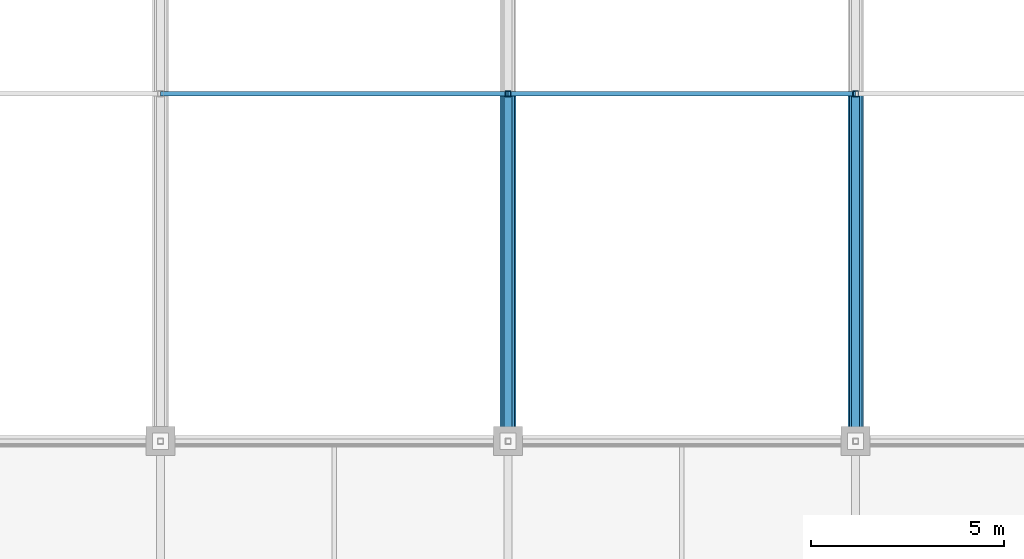
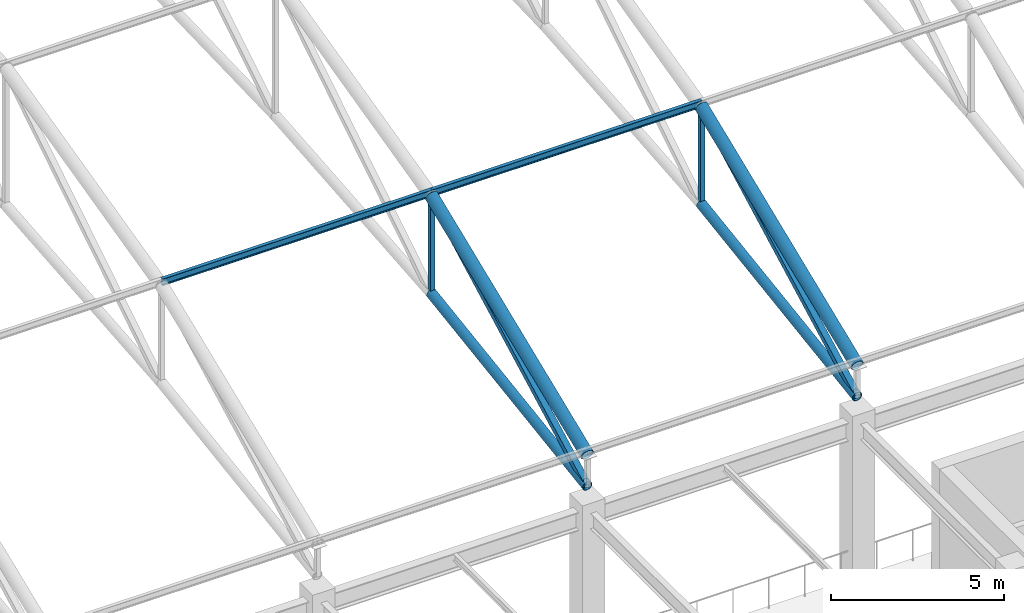
# One storey, part 40 of 223: 10 members.
"""IFC4 building model written with IfcOpenShell, lengths in metres."""

from ifc_helpers import new_model, si_unit, direction, frame, origin, origin_2d, place, context, subcontext, project, spatial, hollow_rectangle, hollow_circle, i_section, extrude, material, material_profile, profile_set, type_object, element, save


model = new_model("IFC4")

# Units and contexts
model_context = context("Model", 3, precision=1e-05, world=origin(), true_north=direction((0.0, 1.0)))
body_context = subcontext(model_context, "Body", "Model", "MODEL_VIEW")
ifc_project = project(units=[si_unit("LENGTHUNIT", "METRE"), si_unit("AREAUNIT", "SQUARE_METRE"), si_unit("VOLUMEUNIT", "CUBIC_METRE"), si_unit("PLANEANGLEUNIT", "RADIAN"), si_unit("MASSUNIT", "GRAM", prefix="KILO")], contexts=[model_context])

# Site, building, storey
site_placement = place(None, origin())
site = spatial("IfcSite", under=ifc_project, at=site_placement, CompositionType="ELEMENT")
building_placement = place(site_placement, origin())
building = spatial("IfcBuilding", under=site, at=building_placement, Name="Dornveld Trade and Exhibition Forum", CompositionType="ELEMENT")
storey_placement = place(building_placement, frame((0.0, 0.0, 6.0)))
storey = spatial("IfcBuildingStorey", under=building, at=storey_placement, Name="L01", CompositionType="ELEMENT", Elevation=6.0)

# Members
ifc_material_1 = material(Name="Steel S355J2", Category="steel")
ifc_material_profile_1 = material_profile(ifc_material_1, hollow_circle(Radius=0.161865234375, WallThickness=0.01611328125, at=origin_2d()), Name="CHS 323.9x16")
ifc_profile_set_1 = profile_set([ifc_material_profile_1], Name="Steel S355J2")
member_type_1 = type_object("IfcMemberType", Name="MEM-ARCH-BC", PredefinedType="CHORD", material=ifc_profile_set_1)
for number, where, z_axis, x_axis, name in (
    (1, (117.0, 108.0, 6.35009765625), (0.0, 0.989204758987, 0.146539908551), (-1.0, 0.0, 0.0), "H1 truss 3 tie chord 1"),
    (2, (126.0, 108.0, 6.35009765625), (0.0, 0.989204758987, 0.146539908551), (-1.0, 0.0, 0.0), "H1 truss 4 tie chord 1"),
):
    element("IfcMember", number, at=place(storey_placement, frame(where, z_axis=z_axis, x_axis=x_axis)), inside=storey, type_object=member_type_1, Name=name, PredefinedType="CHORD", context=body_context, shape_type="SweptSolid", body=[
        extrude(hollow_circle(Radius=0.161865234375, WallThickness=0.01611328125, at=origin_2d()), origin(), (0.0, 0.0, 1.0), 9.09814453125),
    ])
ifc_material_2 = material(Name="Steel S355J2", Category="steel")
ifc_material_profile_2 = material_profile(ifc_material_2, hollow_rectangle(XDim=0.14990234375, YDim=0.14990234375, WallThickness=0.008056640625, at=origin_2d()), Name="SHS 150x150x8")
ifc_profile_set_2 = profile_set([ifc_material_profile_2], Name="Steel S355J2")
member_type_2 = type_object("IfcMemberType", Name="MEM-ARCH-STR", PredefinedType="STRUT", material=ifc_profile_set_2)
for number, where, z_axis, x_axis, name in (
    (3, (117.0, 117.0, 7.683349609375), (0.0, 0.0, 1.0), (1.0, 0.0, 0.0), "H1 truss 3 strut 2"),
    (4, (126.0, 117.0, 7.683349609375), (0.0, 0.0, 1.0), (1.0, 0.0, 0.0), "H1 truss 4 strut 2"),
):
    element("IfcMember", number, at=place(storey_placement, frame(where, z_axis=z_axis, x_axis=x_axis)), inside=storey, type_object=member_type_2, Name=name, PredefinedType="STRUT", context=body_context, shape_type="SweptSolid", body=[
        extrude(hollow_rectangle(XDim=0.14990234375, YDim=0.14990234375, WallThickness=0.008056640625, at=origin_2d()), origin(), (0.0, 0.0, 1.0), 3.433349609375),
    ])
ifc_material_3 = material(Name="Steel S355J2", Category="steel")
ifc_material_profile_3 = material_profile(ifc_material_3, hollow_circle(Radius=0.203125, WallThickness=0.02001953125, at=origin_2d()), Name="CHS 406.4x20")
ifc_profile_set_3 = profile_set([ifc_material_profile_3], Name="Steel S355J2")
member_type_3 = type_object("IfcMemberType", Name="MEM-ARCH-TC", PredefinedType="CHORD", material=ifc_profile_set_3)
for number, where, z_axis, x_axis, name in (
    (5, (117.0, 108.0, 7.449951171875), (0.0, 0.926089433793, 0.377304069177), (-1.0, 0.0, 0.0), "H1 truss 3 top chord 1"),
    (6, (126.0, 108.0, 7.449951171875), (0.0, 0.926089433793, 0.377304069177), (-1.0, 0.0, 0.0), "H1 truss 4 top chord 1"),
):
    element("IfcMember", number, at=place(storey_placement, frame(where, z_axis=z_axis, x_axis=x_axis)), inside=storey, type_object=member_type_3, Name=name, PredefinedType="CHORD", context=body_context, shape_type="SweptSolid", body=[
        extrude(hollow_circle(Radius=0.203125, WallThickness=0.02001953125, at=origin_2d()), origin(), (0.0, 0.0, 1.0), 9.71826171875),
    ])
ifc_material_4 = material(Name="Steel S355J2", Category="steel")
ifc_material_profile_4 = material_profile(ifc_material_4, hollow_rectangle(XDim=0.199951171875, YDim=0.199951171875, WallThickness=0.010009765625, at=origin_2d()), Name="SHS 200x200x10")
ifc_profile_set_4 = profile_set([ifc_material_profile_4], Name="Steel S355J2")
member_type_4 = type_object("IfcMemberType", Name="MEM-ARCH-WEB", PredefinedType="BRACE", material=ifc_profile_set_4)
for number, where, z_axis, x_axis, name in (
    (7, (117.0, 108.0, 6.35009765625), (0.0, 0.883710934211, 0.468033102201), (-1.0, 0.0, 0.0), "H1 truss 3 web 1"),
    (8, (126.0, 108.0, 6.35009765625), (0.0, 0.883710934211, 0.468033102201), (-1.0, 0.0, 0.0), "H1 truss 4 web 1"),
):
    element("IfcMember", number, at=place(storey_placement, frame(where, z_axis=z_axis, x_axis=x_axis)), inside=storey, type_object=member_type_4, Name=name, PredefinedType="BRACE", context=body_context, shape_type="SweptSolid", body=[
        extrude(hollow_rectangle(XDim=0.199951171875, YDim=0.199951171875, WallThickness=0.010009765625, at=origin_2d()), origin(), (0.0, 0.0, 1.0), 10.184326171875),
    ])
ifc_material_5 = material(Name="Steel S355J2", Category="steel")
ifc_material_profile_5 = material_profile(ifc_material_5, i_section(OverallWidth=0.1201171875, OverallDepth=0.239990234375, WebThickness=0.006103515625, FlangeThickness=0.009765625, FilletRadius=0.014892578125, at=origin_2d()), Name="IPE 240")
ifc_profile_set_5 = profile_set([ifc_material_profile_5], Name="Steel S355J2")
member_type_5 = type_object("IfcMemberType", Name="MEM-PURLIN-240", PredefinedType="PURLIN", material=ifc_profile_set_5)
for number, where, z_axis, x_axis, name in (
    (9, (108.0, 117.0, 11.248779296875), (1.0, 0.0, 0.0), (0.0, 1.0, 0.0), "H1 bay 2 roof purlin 2"),
    (10, (117.0, 117.0, 11.248779296875), (1.0, 0.0, 0.0), (0.0, 1.0, 0.0), "H1 bay 3 roof purlin 2"),
):
    element("IfcMember", number, at=place(storey_placement, frame(where, z_axis=z_axis, x_axis=x_axis)), inside=storey, type_object=member_type_5, Name=name, PredefinedType="PURLIN", context=body_context, shape_type="SweptSolid", body=[
        extrude(i_section(OverallWidth=0.1201171875, OverallDepth=0.239990234375, WebThickness=0.006103515625, FlangeThickness=0.009765625, FilletRadius=0.014892578125, at=origin_2d()), origin(), (0.0, 0.0, 1.0), 9.0),
    ])

save(model, "model.ifc")
